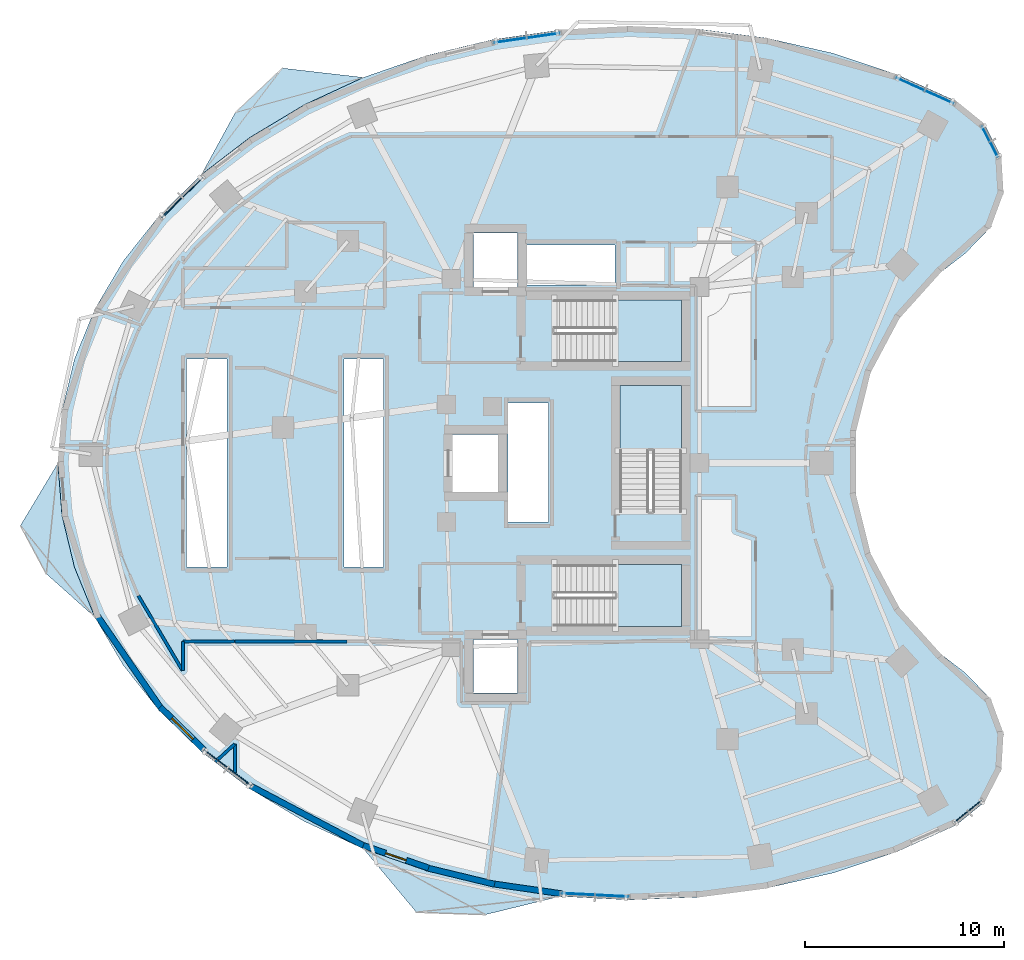
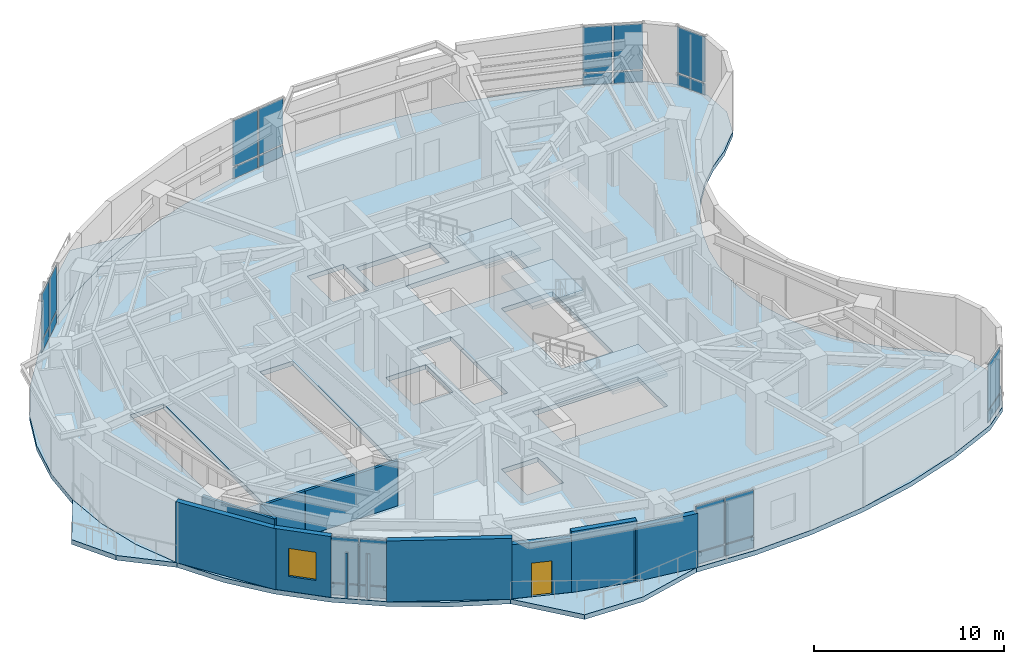
# One storey, part 6 of 13: 24 plates, 12 walls, 7 slabs, 1 door, 1 window, 2 openings, 10 elements without a shape of their own.
"""IFC4 building model written with IfcOpenShell, lengths in metres."""

from ifc_helpers import new_model, si_unit, direction, frame, frame_2d, origin, origin_2d, place, context, subcontext, project, spatial, polyline, rectangle, outline, extrude, material, layer, layer_set, type_object, element, fill, aggregate, save


model = new_model("IFC4")

# Units and contexts
model_context = context("Model", 3, precision=1e-05, world=origin(), true_north=direction((0.0, 1.0)))
body_context = subcontext(model_context, "Body", "Model", "MODEL_VIEW")
ifc_project = project(units=[si_unit("LENGTHUNIT", "METRE"), si_unit("AREAUNIT", "SQUARE_METRE"), si_unit("VOLUMEUNIT", "CUBIC_METRE"), si_unit("PLANEANGLEUNIT", "RADIAN"), si_unit("MASSUNIT", "GRAM", prefix="KILO")], contexts=[model_context])

# Site, building, storey
site_placement = place(None, origin())
site = spatial("IfcSite", under=ifc_project, at=site_placement, CompositionType="ELEMENT")
building_placement = place(site_placement, origin())
building = spatial("IfcBuilding", under=site, at=building_placement, Name="Korentha Bioscience Tower", CompositionType="ELEMENT")
storey_placement = place(building_placement, frame((0.0, 0.0, 123.60009765625)))
storey = spatial("IfcBuildingStorey", under=building, at=storey_placement, Name="L28", CompositionType="ELEMENT", Elevation=123.60009765625)

# Curtain wall, plates
ifc_material_1 = material(Name="Thermally Broken Aluminium Frame", Category="aluminium")
ifc_layer_1 = layer(ifc_material_1, 0.219970703125, Name="Thermally Broken Aluminium Frame")
ifc_layer_set_1 = layer_set([ifc_layer_1], Name="Thermally Broken Aluminium Frame (CW-T2)")
curtain_wall_type = type_object("IfcCurtainWallType", Name="Solar-Screened Lab Unitised Curtain Wall CW-T2", PredefinedType="USERDEFINED", material=ifc_layer_set_1)
curtain_wall_1_placement = place(storey_placement, origin())
curtain_wall_1 = element("IfcCurtainWall", 1, at=curtain_wall_1_placement, inside=storey, type_object=curtain_wall_type, Name="L28 Curtain Wall 01", ObjectType="UNITISED", PredefinedType="USERDEFINED")
ifc_material_2 = material(Name="Triple-Glazed Low-E Insulated Glass", Category="glass")
ifc_layer_2 = layer(ifc_material_2, 0.0439453125, Name="Triple-Glazed Low-E Insulated Glass")
ifc_layer_set_2 = layer_set([ifc_layer_2], Name="Triple-Glazed Low-E Insulated Glass (GL-44)")
plate_type = type_object("IfcPlateType", Name="Glazed Panel 44mm", PredefinedType="CURTAIN_PANEL", material=ifc_layer_set_2)
plate_1_placement = place(storey_placement, frame((49.61767578125, 45.385986328125, 0.08984375), z_axis=(0.0, 0.0, 1.0), x_axis=(-0.912686563127, 0.408660295952, 0.0)))
plate_1 = element("IfcPlate", 2, at=plate_1_placement, type_object=plate_type, Name="CW-L28-01 Bay 1 Glazed Panel 1", PredefinedType="CURTAIN_PANEL", context=body_context, shape_type="SweptSolid", body=[
    extrude(rectangle(XDim=1.54541015625, YDim=0.0439453125, at=origin_2d()), origin(), (0.0, 0.0, 1.0), 0.715087890625),
])
plate_2_placement = place(storey_placement, frame((49.61767578125, 45.385986328125, 0.894775390625), z_axis=(0.0, 0.0, 1.0), x_axis=(-0.912686563127, 0.408660295952, 0.0)))
plate_2 = element("IfcPlate", 3, at=plate_2_placement, type_object=plate_type, Name="CW-L28-01 Bay 1 Glazed Panel 2", PredefinedType="CURTAIN_PANEL", context=body_context, shape_type="SweptSolid", body=[
    extrude(rectangle(XDim=1.54541015625, YDim=0.0439453125, at=origin_2d()), origin(), (0.0, 0.0, 1.0), 2.9150390625),
])
plate_3_placement = place(storey_placement, frame((48.125, 46.05419921875, 0.08984375), z_axis=(0.0, 0.0, 1.0), x_axis=(-0.912686563127, 0.408660295952, 0.0)))
plate_3 = element("IfcPlate", 4, at=plate_3_placement, type_object=plate_type, Name="CW-L28-01 Bay 2 Glazed Panel 1", PredefinedType="CURTAIN_PANEL", context=body_context, shape_type="SweptSolid", body=[
    extrude(rectangle(XDim=1.54541015625, YDim=0.0439453125, at=origin_2d()), origin(), (0.0, 0.0, 1.0), 0.715087890625),
])
plate_4_placement = place(storey_placement, frame((48.125, 46.05419921875, 0.894775390625), z_axis=(0.0, 0.0, 1.0), x_axis=(-0.912686563127, 0.408660295952, 0.0)))
plate_4 = element("IfcPlate", 5, at=plate_4_placement, type_object=plate_type, Name="CW-L28-01 Bay 2 Glazed Panel 2", PredefinedType="CURTAIN_PANEL", context=body_context, shape_type="SweptSolid", body=[
    extrude(rectangle(XDim=1.54541015625, YDim=0.0439453125, at=origin_2d()), origin(), (0.0, 0.0, 1.0), 2.9150390625),
])
aggregate(curtain_wall_1, [plate_1, plate_2, plate_3, plate_4])

curtain_wall_2_placement = place(storey_placement, origin())
curtain_wall_2 = element("IfcCurtainWall", 6, at=curtain_wall_2_placement, inside=storey, type_object=curtain_wall_type, Name="L28 Curtain Wall 07", ObjectType="UNITISED", PredefinedType="USERDEFINED")
plate_5_placement = place(storey_placement, frame((29.724853515625, 48.486328125, 0.08984375), z_axis=(0.0, 0.0, 1.0), x_axis=(-0.989738282326, -0.14289203091, 0.0)))
plate_5 = element("IfcPlate", 7, at=plate_5_placement, type_object=plate_type, Name="CW-L28-07 Bay 1 Glazed Panel 1", PredefinedType="CURTAIN_PANEL", context=body_context, shape_type="SweptSolid", body=[
    extrude(rectangle(XDim=1.630615234375, YDim=0.0439453125, at=origin_2d()), origin(), (0.0, 0.0, 1.0), 0.715087890625),
])
plate_6_placement = place(storey_placement, frame((29.724853515625, 48.486328125, 0.894775390625), z_axis=(0.0, 0.0, 1.0), x_axis=(-0.989738282326, -0.14289203091, 0.0)))
plate_6 = element("IfcPlate", 8, at=plate_6_placement, type_object=plate_type, Name="CW-L28-07 Bay 1 Glazed Panel 2", PredefinedType="CURTAIN_PANEL", context=body_context, shape_type="SweptSolid", body=[
    extrude(rectangle(XDim=1.630615234375, YDim=0.0439453125, at=origin_2d()), origin(), (0.0, 0.0, 1.0), 2.9150390625),
])
plate_7_placement = place(storey_placement, frame((28.021728515625, 48.240478515625, 0.08984375), z_axis=(0.0, 0.0, 1.0), x_axis=(-0.989738282326, -0.14289203091, 0.0)))
plate_7 = element("IfcPlate", 9, at=plate_7_placement, type_object=plate_type, Name="CW-L28-07 Bay 2 Glazed Panel 1", PredefinedType="CURTAIN_PANEL", context=body_context, shape_type="SweptSolid", body=[
    extrude(rectangle(XDim=1.630615234375, YDim=0.0439453125, at=origin_2d()), origin(), (0.0, 0.0, 1.0), 0.715087890625),
])
plate_8_placement = place(storey_placement, frame((28.021728515625, 48.240478515625, 0.894775390625), z_axis=(0.0, 0.0, 1.0), x_axis=(-0.989738282326, -0.14289203091, 0.0)))
plate_8 = element("IfcPlate", 10, at=plate_8_placement, type_object=plate_type, Name="CW-L28-07 Bay 2 Glazed Panel 2", PredefinedType="CURTAIN_PANEL", context=body_context, shape_type="SweptSolid", body=[
    extrude(rectangle(XDim=1.630615234375, YDim=0.0439453125, at=origin_2d()), origin(), (0.0, 0.0, 1.0), 2.9150390625),
])
aggregate(curtain_wall_2, [plate_5, plate_6, plate_7, plate_8])

curtain_wall_3_placement = place(storey_placement, origin())
curtain_wall_3 = element("IfcCurtainWall", 11, at=curtain_wall_3_placement, inside=storey, type_object=curtain_wall_type, Name="L28 Curtain Wall 13", ObjectType="UNITISED", PredefinedType="USERDEFINED")
plate_9_placement = place(storey_placement, frame((12.09912109375, 40.858642578125, 0.08984375), z_axis=(0.0, 0.0, 1.0), x_axis=(-0.716095631804, -0.698002182025, 0.0)))
plate_9 = element("IfcPlate", 12, at=plate_9_placement, type_object=plate_type, Name="CW-L28-13 Bay 1 Glazed Panel 1", PredefinedType="CURTAIN_PANEL", context=body_context, shape_type="SweptSolid", body=[
    extrude(rectangle(XDim=1.39599609375, YDim=0.0439453125, at=origin_2d()), origin(), (0.0, 0.0, 1.0), 0.715087890625),
])
plate_10_placement = place(storey_placement, frame((12.09912109375, 40.858642578125, 0.894775390625), z_axis=(0.0, 0.0, 1.0), x_axis=(-0.716095631804, -0.698002182025, 0.0)))
plate_10 = element("IfcPlate", 13, at=plate_10_placement, type_object=plate_type, Name="CW-L28-13 Bay 1 Glazed Panel 2", PredefinedType="CURTAIN_PANEL", context=body_context, shape_type="SweptSolid", body=[
    extrude(rectangle(XDim=1.39599609375, YDim=0.0439453125, at=origin_2d()), origin(), (0.0, 0.0, 1.0), 2.9150390625),
])
plate_11_placement = place(storey_placement, frame((11.034912109375, 39.8212890625, 0.08984375), z_axis=(0.0, 0.0, 1.0), x_axis=(-0.716095631804, -0.698002182025, 0.0)))
plate_11 = element("IfcPlate", 14, at=plate_11_placement, type_object=plate_type, Name="CW-L28-13 Bay 2 Glazed Panel 1", PredefinedType="CURTAIN_PANEL", context=body_context, shape_type="SweptSolid", body=[
    extrude(rectangle(XDim=1.39599609375, YDim=0.0439453125, at=origin_2d()), origin(), (0.0, 0.0, 1.0), 0.715087890625),
])
plate_12_placement = place(storey_placement, frame((11.034912109375, 39.8212890625, 0.894775390625), z_axis=(0.0, 0.0, 1.0), x_axis=(-0.716095631804, -0.698002182025, 0.0)))
plate_12 = element("IfcPlate", 15, at=plate_12_placement, type_object=plate_type, Name="CW-L28-13 Bay 2 Glazed Panel 2", PredefinedType="CURTAIN_PANEL", context=body_context, shape_type="SweptSolid", body=[
    extrude(rectangle(XDim=1.39599609375, YDim=0.0439453125, at=origin_2d()), origin(), (0.0, 0.0, 1.0), 2.9150390625),
])
aggregate(curtain_wall_3, [plate_9, plate_10, plate_11, plate_12])

curtain_wall_4_placement = place(storey_placement, origin())
curtain_wall_4 = element("IfcCurtainWall", 16, at=curtain_wall_4_placement, inside=storey, type_object=curtain_wall_type, Name="L28 Curtain Wall 25", ObjectType="UNITISED", PredefinedType="USERDEFINED")
plate_13_placement = place(storey_placement, frame((13.234619140625, 12.162353515625, 0.08984375), z_axis=(0.0, 0.0, 1.0), x_axis=(0.794499603893, -0.607264669986, 0.0)))
plate_13 = element("IfcPlate", 17, at=plate_13_placement, type_object=plate_type, Name="CW-L28-25 Bay 1 Glazed Panel 1", PredefinedType="CURTAIN_PANEL", context=body_context, shape_type="SweptSolid", body=[
    extrude(rectangle(XDim=1.4462890625, YDim=0.0439453125, at=origin_2d()), origin(), (0.0, 0.0, 1.0), 0.715087890625),
])
plate_14_placement = place(storey_placement, frame((13.234619140625, 12.162353515625, 0.894775390625), z_axis=(0.0, 0.0, 1.0), x_axis=(0.794499603893, -0.607264669986, 0.0)))
plate_14 = element("IfcPlate", 18, at=plate_14_placement, type_object=plate_type, Name="CW-L28-25 Bay 1 Glazed Panel 2", PredefinedType="CURTAIN_PANEL", context=body_context, shape_type="SweptSolid", body=[
    extrude(rectangle(XDim=1.4462890625, YDim=0.0439453125, at=origin_2d()), origin(), (0.0, 0.0, 1.0), 2.9150390625),
])
plate_15_placement = place(storey_placement, frame((14.455078125, 11.229248046875, 0.08984375), z_axis=(0.0, 0.0, 1.0), x_axis=(0.794499603893, -0.607264669986, 0.0)))
plate_15 = element("IfcPlate", 19, at=plate_15_placement, type_object=plate_type, Name="CW-L28-25 Bay 2 Glazed Panel 1", PredefinedType="CURTAIN_PANEL", context=body_context, shape_type="SweptSolid", body=[
    extrude(rectangle(XDim=1.4462890625, YDim=0.0439453125, at=origin_2d()), origin(), (0.0, 0.0, 1.0), 0.715087890625),
])
plate_16_placement = place(storey_placement, frame((14.455078125, 11.229248046875, 0.894775390625), z_axis=(0.0, 0.0, 1.0), x_axis=(0.794499603893, -0.607264669986, 0.0)))
plate_16 = element("IfcPlate", 20, at=plate_16_placement, type_object=plate_type, Name="CW-L28-25 Bay 2 Glazed Panel 2", PredefinedType="CURTAIN_PANEL", context=body_context, shape_type="SweptSolid", body=[
    extrude(rectangle(XDim=1.4462890625, YDim=0.0439453125, at=origin_2d()), origin(), (0.0, 0.0, 1.0), 2.9150390625),
])
aggregate(curtain_wall_4, [plate_13, plate_14, plate_15, plate_16])

curtain_wall_5_placement = place(storey_placement, origin())
curtain_wall_5 = element("IfcCurtainWall", 21, at=curtain_wall_5_placement, inside=storey, type_object=curtain_wall_type, Name="L28 Curtain Wall 31", ObjectType="UNITISED", PredefinedType="USERDEFINED")
plate_17_placement = place(storey_placement, frame((31.436279296875, 5.346435546875, 0.08984375), z_axis=(0.0, 0.0, 1.0), x_axis=(0.998673231344, -0.051495407527, 0.0)))
plate_17 = element("IfcPlate", 22, at=plate_17_placement, type_object=plate_type, Name="CW-L28-31 Bay 1 Glazed Panel 1", PredefinedType="CURTAIN_PANEL", context=body_context, shape_type="SweptSolid", body=[
    extrude(rectangle(XDim=1.641845703125, YDim=0.0439453125, at=origin_2d()), origin(), (0.0, 0.0, 1.0), 0.715087890625),
])
plate_18_placement = place(storey_placement, frame((31.436279296875, 5.346435546875, 0.894775390625), z_axis=(0.0, 0.0, 1.0), x_axis=(0.998673231344, -0.051495407527, 0.0)))
plate_18 = element("IfcPlate", 23, at=plate_18_placement, type_object=plate_type, Name="CW-L28-31 Bay 1 Glazed Panel 2", PredefinedType="CURTAIN_PANEL", context=body_context, shape_type="SweptSolid", body=[
    extrude(rectangle(XDim=1.641845703125, YDim=0.0439453125, at=origin_2d()), origin(), (0.0, 0.0, 1.0), 2.9150390625),
])
plate_19_placement = place(storey_placement, frame((33.166015625, 5.25732421875, 0.08984375), z_axis=(0.0, 0.0, 1.0), x_axis=(0.998673231344, -0.051495407527, 0.0)))
plate_19 = element("IfcPlate", 24, at=plate_19_placement, type_object=plate_type, Name="CW-L28-31 Bay 2 Glazed Panel 1", PredefinedType="CURTAIN_PANEL", context=body_context, shape_type="SweptSolid", body=[
    extrude(rectangle(XDim=1.641845703125, YDim=0.0439453125, at=origin_2d()), origin(), (0.0, 0.0, 1.0), 0.715087890625),
])
plate_20_placement = place(storey_placement, frame((33.166015625, 5.25732421875, 0.894775390625), z_axis=(0.0, 0.0, 1.0), x_axis=(0.998673231344, -0.051495407527, 0.0)))
plate_20 = element("IfcPlate", 25, at=plate_20_placement, type_object=plate_type, Name="CW-L28-31 Bay 2 Glazed Panel 2", PredefinedType="CURTAIN_PANEL", context=body_context, shape_type="SweptSolid", body=[
    extrude(rectangle(XDim=1.641845703125, YDim=0.0439453125, at=origin_2d()), origin(), (0.0, 0.0, 1.0), 2.9150390625),
])
aggregate(curtain_wall_5, [plate_17, plate_18, plate_19, plate_20])

curtain_wall_6_placement = place(storey_placement, origin())
curtain_wall_6 = element("IfcCurtainWall", 26, at=curtain_wall_6_placement, inside=storey, type_object=curtain_wall_type, Name="L28 Curtain Wall 37", ObjectType="UNITISED", PredefinedType="USERDEFINED")
plate_21_placement = place(storey_placement, frame((51.04736328125, 9.506591796875, 0.08984375), z_axis=(0.0, 0.0, 1.0), x_axis=(0.777315301098, 0.629111216463, 0.0)))
plate_21 = element("IfcPlate", 27, at=plate_21_placement, type_object=plate_type, Name="CW-L28-37 Bay 1 Glazed Panel 1", PredefinedType="CURTAIN_PANEL", context=body_context, shape_type="SweptSolid", body=[
    extrude(rectangle(XDim=1.737548828125, YDim=0.0439453125, at=origin_2d()), origin(), (0.0, 0.0, 1.0), 0.715087890625),
])
plate_22_placement = place(storey_placement, frame((51.04736328125, 9.506591796875, 0.894775390625), z_axis=(0.0, 0.0, 1.0), x_axis=(0.777315301098, 0.629111216463, 0.0)))
plate_22 = element("IfcPlate", 28, at=plate_22_placement, type_object=plate_type, Name="CW-L28-37 Bay 1 Glazed Panel 2", PredefinedType="CURTAIN_PANEL", context=body_context, shape_type="SweptSolid", body=[
    extrude(rectangle(XDim=1.737548828125, YDim=0.0439453125, at=origin_2d()), origin(), (0.0, 0.0, 1.0), 2.9150390625),
])
aggregate(curtain_wall_6, [plate_21, plate_22])

curtain_wall_7_placement = place(storey_placement, origin())
curtain_wall_7 = element("IfcCurtainWall", 29, at=curtain_wall_7_placement, inside=storey, type_object=curtain_wall_type, Name="L28 Curtain Wall 61", ObjectType="UNITISED", PredefinedType="USERDEFINED")
plate_23_placement = place(storey_placement, frame((52.140380859375, 43.149658203125, 0.08984375), z_axis=(0.0, 0.0, 1.0), x_axis=(-0.457613117169, 0.889151412862, 0.0)))
plate_23 = element("IfcPlate", 30, at=plate_23_placement, type_object=plate_type, Name="CW-L28-61 Bay 1 Glazed Panel 1", PredefinedType="CURTAIN_PANEL", context=body_context, shape_type="SweptSolid", body=[
    extrude(rectangle(XDim=1.737548828125, YDim=0.0439453125, at=origin_2d()), origin(), (0.0, 0.0, 1.0), 0.715087890625),
])
plate_24_placement = place(storey_placement, frame((52.140380859375, 43.149658203125, 0.894775390625), z_axis=(0.0, 0.0, 1.0), x_axis=(-0.457613117169, 0.889151412862, 0.0)))
plate_24 = element("IfcPlate", 31, at=plate_24_placement, type_object=plate_type, Name="CW-L28-61 Bay 1 Glazed Panel 2", PredefinedType="CURTAIN_PANEL", context=body_context, shape_type="SweptSolid", body=[
    extrude(rectangle(XDim=1.737548828125, YDim=0.0439453125, at=origin_2d()), origin(), (0.0, 0.0, 1.0), 2.9150390625),
])
aggregate(curtain_wall_7, [plate_23, plate_24])

# Slab
ifc_material_3 = material(Name="Concrete C50", Category="concrete")
ifc_layer_3 = layer(ifc_material_3, 0.300048828125, Name="Concrete C50")
ifc_layer_set_3 = layer_set([ifc_layer_3], Name="Concrete C50 (SL-L300)")
slab_type_1 = type_object("IfcSlabType", Name="Laboratory Vibration-Controlled Slab 300", PredefinedType="FLOOR", material=ifc_layer_set_3)
slab_1_placement = place(storey_placement, frame((0.0, 0.0, -0.300048828125)))
element("IfcSlab", 32, at=slab_1_placement, inside=storey, type_object=slab_type_1, Name="L28 Tower Structural Floor Slab", PredefinedType="FLOOR", context=body_context, shape_type="SweptSolid", body=[
    extrude(outline(polyline([(50.433837890625, 45.19580078125), (47.439697265625, 46.53662109375), (44.2548828125, 47.59521484375), (40.925537109375, 48.3564453125), (37.5, 48.809326171875), (34.027587890625, 48.947265625), (30.558349609375, 48.7685546875), (27.142333984375, 48.275390625), (23.8291015625, 47.474853515625), (20.66650390625, 46.37890625), (17.69970703125, 45.003173828125), (14.972412109375, 43.367431640625), (12.52294921875, 41.495361328125), (10.3876953125, 39.413818359375), (8.5966796875, 37.1533203125), (7.17626953125, 34.74609375), (6.146484375, 32.22705078125), (5.52294921875, 29.632568359375), (5.31396484375, 27.0), (5.52294921875, 24.367431640625), (6.146484375, 21.77294921875), (7.17626953125, 19.25390625), (8.5966796875, 16.8466796875), (10.3876953125, 14.586181640625), (12.52294921875, 12.504638671875), (14.972412109375, 10.632568359375), (17.69970703125, 8.996826171875), (20.66650390625, 7.62109375), (23.8291015625, 6.525146484375), (27.142333984375, 5.724609375), (30.558349609375, 5.2314453125), (34.027587890625, 5.052734375), (37.5, 5.190673828125), (40.925537109375, 5.6435546875), (44.2548828125, 6.40478515625), (47.439697265625, 7.46337890625), (50.433837890625, 8.80419921875), (51.8623046875, 9.960205078125), (52.703125, 11.593994140625), (52.813720703125, 13.42822265625), (52.175537109375, 15.1513671875), (50.896484375, 16.470703125), (49.666259765625, 17.414794921875), (48.560302734375, 18.501708984375), (47.594970703125, 19.715087890625), (46.78466796875, 21.037353515625), (46.1416015625, 22.448486328125), (45.67529296875, 23.927490234375), (45.392578125, 25.4521484375), (45.298095703125, 27.0), (45.392578125, 28.5478515625), (45.67529296875, 30.072509765625), (46.1416015625, 31.551513671875), (46.78466796875, 32.962646484375), (47.594970703125, 34.284912109375), (48.560302734375, 35.498291015625), (49.666259765625, 36.585205078125), (50.896484375, 37.529296875), (52.175537109375, 38.8486328125), (52.813720703125, 40.57177734375), (52.703125, 42.406005859375), (51.8623046875, 44.039794921875), (50.433837890625, 45.19580078125)]), holes=[polyline([(30.25, 32.10009765625), (36.64990234375, 32.10009765625), (36.64990234375, 35.199951171875), (30.25, 35.199951171875), (30.25, 32.10009765625)]), polyline([(30.25, 18.800048828125), (36.64990234375, 18.800048828125), (36.64990234375, 21.89990234375), (30.25, 21.89990234375), (30.25, 18.800048828125)]), polyline([(36.64990234375, 24.550048828125), (36.64990234375, 30.89990234375), (33.550048828125, 30.89990234375), (33.550048828125, 24.550048828125), (36.64990234375, 24.550048828125)]), polyline([(11.780029296875, 21.780029296875), (13.820068359375, 21.780029296875), (13.820068359375, 32.219970703125), (11.780029296875, 32.219970703125), (11.780029296875, 21.780029296875)]), polyline([(19.679931640625, 21.780029296875), (21.669921875, 21.780029296875), (21.669921875, 32.219970703125), (19.679931640625, 32.219970703125), (19.679931640625, 21.780029296875)]), polyline([(27.929931640625, 24.030029296875), (29.969970703125, 24.030029296875), (29.969970703125, 30.02001953125), (27.929931640625, 30.02001953125), (27.929931640625, 24.030029296875)]), polyline([(28.860107421875, 35.93994140625), (33.31005859375, 35.93994140625), (33.31005859375, 37.9599609375), (28.860107421875, 37.9599609375), (28.860107421875, 35.93994140625)]), polyline([(26.199951171875, 15.449951171875), (28.39990234375, 15.449951171875), (28.39990234375, 18.14990234375), (26.199951171875, 18.14990234375), (26.199951171875, 15.449951171875)]), polyline([(26.199951171875, 35.85009765625), (28.39990234375, 35.85009765625), (28.39990234375, 38.550048828125), (26.199951171875, 38.550048828125), (26.199951171875, 35.85009765625)]), polyline([(25.14990234375, 25.550048828125), (27.550048828125, 25.550048828125), (27.550048828125, 28.449951171875), (25.14990234375, 28.449951171875), (25.14990234375, 25.550048828125)])]), origin(), (0.0, 0.0, 1.0), 0.300048828125),
])

# Stair, slab
ifc_material_4 = material(Name="Precast Concrete C50", Category="concrete")
stair_type = type_object("IfcStairType", Name="Core Exit Dog-Leg Stair 1450", PredefinedType="HALF_TURN_STAIR", material=ifc_material_4)
stair_1_placement = place(storey_placement, origin())
stair_1 = element("IfcStair", 33, at=stair_1_placement, inside=storey, type_object=stair_type, Name="L28 Tower North Pressurized Exit Stair ST-1", PredefinedType="HALF_TURN_STAIR")
ifc_layer_4 = layer(ifc_material_3, 0.199951171875, Name="Concrete C50")
ifc_layer_set_4 = layer_set([ifc_layer_4], Name="Concrete C50 (SL-LND)")
slab_type_2 = type_object("IfcSlabType", Name="Landing Slab 200", PredefinedType="LANDING", material=ifc_layer_set_4)
slab_2_placement = place(storey_placement, frame((0.0, 0.0, 1.89990234375)))
slab_2 = element("IfcSlab", 34, at=slab_2_placement, type_object=slab_type_2, Name="ST-1 landing 1", PredefinedType="LANDING", context=body_context, shape_type="SweptSolid", body=[
    extrude(outline(polyline([(33.330078125, 32.10009765625), (36.64990234375, 32.10009765625), (36.64990234375, 35.199951171875), (33.330078125, 35.199951171875), (33.330078125, 32.10009765625)])), origin(), (0.0, 0.0, 1.0), 0.199951171875),
])
aggregate(stair_1, [slab_2])

stair_2_placement = place(storey_placement, origin())
stair_2 = element("IfcStair", 35, at=stair_2_placement, inside=storey, type_object=stair_type, Name="L28 Tower South Pressurized Exit Stair ST-2", PredefinedType="HALF_TURN_STAIR")
slab_3_placement = place(storey_placement, frame((0.0, 0.0, 1.89990234375)))
slab_3 = element("IfcSlab", 36, at=slab_3_placement, type_object=slab_type_2, Name="ST-2 landing 1", PredefinedType="LANDING", context=body_context, shape_type="SweptSolid", body=[
    extrude(outline(polyline([(33.330078125, 18.800048828125), (36.64990234375, 18.800048828125), (36.64990234375, 21.89990234375), (33.330078125, 21.89990234375), (33.330078125, 18.800048828125)])), origin(), (0.0, 0.0, 1.0), 0.199951171875),
])
aggregate(stair_2, [slab_3])

stair_3_placement = place(storey_placement, origin())
stair_3 = element("IfcStair", 37, at=stair_3_placement, inside=storey, type_object=stair_type, Name="L28 Tower Central Pressurized Exit Stair ST-3", PredefinedType="HALF_TURN_STAIR")
slab_4_placement = place(storey_placement, frame((0.0, 0.0, 1.89990234375)))
slab_4 = element("IfcSlab", 38, at=slab_4_placement, type_object=slab_type_2, Name="ST-3 landing 1", PredefinedType="LANDING", context=body_context, shape_type="SweptSolid", body=[
    extrude(outline(polyline([(36.64990234375, 27.6298828125), (36.64990234375, 30.89990234375), (33.550048828125, 30.89990234375), (33.550048828125, 27.6298828125), (36.64990234375, 27.6298828125)])), origin(), (0.0, 0.0, 1.0), 0.199951171875),
])
aggregate(stair_3, [slab_4])

# Slabs
ifc_layer_5 = layer(ifc_material_3, 0.300048828125, Name="Concrete C50")
ifc_layer_set_5 = layer_set([ifc_layer_5], Name="Concrete C50 (BS-240)")
slab_type_3 = type_object("IfcSlabType", Name="Sawtooth Sun-Ledge Balcony Slab 240", PredefinedType="USERDEFINED", material=ifc_layer_set_5)
slab_5_placement = place(storey_placement, frame((0.0, 0.0, -0.300048828125)))
element("IfcSlab", 39, at=slab_5_placement, inside=storey, type_object=slab_type_3, Name="L28 Sun-Ledge Balcony 01", ObjectType="BALCONY", PredefinedType="USERDEFINED", context=body_context, shape_type="SweptSolid", body=[
    extrude(outline(polyline([(12.52294921875, 41.495361328125), (14.972412109375, 43.367431640625), (17.69970703125, 45.003173828125), (20.66650390625, 46.37890625), (16.593994140625, 46.846923828125), (14.2265625, 44.61083984375), (12.52294921875, 41.495361328125)])), origin(), (0.0, 0.0, 1.0), 0.300048828125),
])
slab_6_placement = place(storey_placement, frame((0.0, 0.0, -0.300048828125)))
element("IfcSlab", 40, at=slab_6_placement, inside=storey, type_object=slab_type_3, Name="L28 Sun-Ledge Balcony 02", ObjectType="BALCONY", PredefinedType="USERDEFINED", context=body_context, shape_type="SweptSolid", body=[
    extrude(outline(polyline([(7.17626953125, 19.25390625), (6.146484375, 21.77294921875), (5.52294921875, 24.367431640625), (5.31396484375, 27.0), (3.4326171875, 23.864990234375), (4.73681640625, 21.43408203125), (7.17626953125, 19.25390625)])), origin(), (0.0, 0.0, 1.0), 0.300048828125),
])
slab_7_placement = place(storey_placement, frame((0.0, 0.0, -0.300048828125)))
element("IfcSlab", 41, at=slab_7_placement, inside=storey, type_object=slab_type_3, Name="L28 Sun-Ledge Balcony 03", ObjectType="BALCONY", PredefinedType="USERDEFINED", context=body_context, shape_type="SweptSolid", body=[
    extrude(outline(polyline([(30.558349609375, 5.2314453125), (27.142333984375, 5.724609375), (23.8291015625, 6.525146484375), (20.66650390625, 7.62109375), (23.32421875, 4.435302734375), (26.802001953125, 4.315185546875), (30.558349609375, 5.2314453125)])), origin(), (0.0, 0.0, 1.0), 0.300048828125),
])

# Walls
ifc_material_5 = material(Name="Double-Stud Acoustic Gypsum", Category="gypsum")
ifc_layer_6 = layer(ifc_material_5, 0.14990234375, Name="Double-Stud Acoustic Gypsum")
ifc_layer_set_6 = layer_set([ifc_layer_6], Name="Double-Stud Acoustic Gypsum (IW-L150)")
wall_type_1 = type_object("IfcWallType", Name="Acoustic Laboratory Partition Wall 150", PredefinedType="PARTITIONING", material=ifc_layer_set_6)
wall_1_placement = place(storey_placement, frame((9.359130859375, 20.336181640625, 0.0), z_axis=(0.0, 0.0, 1.0), x_axis=(0.508164254342, -0.86126017591, 0.0)))
element("IfcWall", 42, at=wall_1_placement, inside=storey, type_object=wall_type_1, Name="L28 Interior Partition 021", PredefinedType="PARTITIONING", context=body_context, shape_type="SweptSolid", body=[
    extrude(rectangle(XDim=4.353271484375, YDim=0.14990234375, at=frame_2d((2.1767578125, 0.0))), origin(), (0.0, 0.0, 1.0), 2.909912109375),
])
wall_2_placement = place(storey_placement, frame((11.590087890625, 16.592041015625, 0.0), z_axis=(0.0, 0.0, 1.0), x_axis=(0.0, 1.0, 0.0)))
element("IfcWall", 43, at=wall_2_placement, inside=storey, type_object=wall_type_1, Name="L28 Interior Partition 022", PredefinedType="PARTITIONING", context=body_context, shape_type="SweptSolid", body=[
    extrude(rectangle(XDim=1.4560546875, YDim=0.14990234375, at=frame_2d((0.72802734375, 0.0))), origin(), (0.0, 0.0, 1.0), 2.909912109375),
])
wall_3_placement = place(storey_placement, frame((11.590087890625, 18.048095703125, 0.0), z_axis=(0.0, 0.0, 1.0), x_axis=(1.0, 0.0, 0.0)))
element("IfcWall", 44, at=wall_3_placement, inside=storey, type_object=wall_type_1, Name="L28 Interior Partition 023", PredefinedType="PARTITIONING", context=body_context, shape_type="SweptSolid", body=[
    extrude(rectangle(XDim=2.60791015625, YDim=0.14990234375, at=frame_2d((1.303955078125, 0.0))), origin(), (0.0, 0.0, 1.0), 2.909912109375),
])
wall_4_placement = place(storey_placement, frame((14.2021484375, 18.048095703125, 0.0), z_axis=(0.0, 0.0, 1.0), x_axis=(1.0, 0.0, 0.0)))
element("IfcWall", 45, at=wall_4_placement, inside=storey, type_object=wall_type_1, Name="L28 Interior Partition 024", PredefinedType="PARTITIONING", context=body_context, shape_type="SweptSolid", body=[
    extrude(rectangle(XDim=5.633056640625, YDim=0.14990234375, at=frame_2d((2.81640625, 0.0))), origin(), (0.0, 0.0, 1.0), 2.909912109375),
])
wall_5_placement = place(storey_placement, frame((14.201904296875, 11.31640625, 0.0), z_axis=(0.0, 0.0, 1.0), x_axis=(0.0, 1.0, 0.0)))
element("IfcWall", 46, at=wall_5_placement, inside=storey, type_object=wall_type_1, Name="L28 Interior Partition 029", PredefinedType="PARTITIONING", context=body_context, shape_type="SweptSolid", body=[
    extrude(rectangle(XDim=1.560302734375, YDim=0.14990234375, at=frame_2d((0.7802734375, 0.0))), origin(), (0.0, 0.0, 1.0), 2.909912109375),
])
wall_6_placement = place(storey_placement, frame((14.1953125, 12.8798828125, 0.0), z_axis=(0.0, 0.0, 1.0), x_axis=(-0.737285674471, -0.675581108542, 0.0)))
element("IfcWall", 47, at=wall_6_placement, inside=storey, type_object=wall_type_1, Name="L28 Interior Partition 030", PredefinedType="PARTITIONING", context=body_context, shape_type="SweptSolid", body=[
    extrude(rectangle(XDim=1.3095703125, YDim=0.14990234375, at=frame_2d((0.65478515625, 0.0))), origin(), (0.0, 0.0, 1.0), 2.909912109375),
])

# Wall, opening, window
ifc_material_6 = material(Name="Honed Limestone Precast Concrete C40", Category="masonry")
ifc_layer_7 = layer(ifc_material_6, 0.300048828125, Name="Honed Limestone Precast Concrete C40")
ifc_layer_set_7 = layer_set([ifc_layer_7], Name="Honed Limestone Precast Concrete C40 (EW-ST300)")
wall_type_2 = type_object("IfcWallType", Name="Honed Limestone Cavity Spandrel Wall 300", PredefinedType="STANDARD", material=ifc_layer_set_7)
wall_7_placement = place(storey_placement, frame((10.456298828125, 14.74267578125, 0.0), z_axis=(0.0, 0.0, 1.0), x_axis=(0.716099460419, -0.697998254144, 0.0)))
wall_7 = element("IfcWall", 48, at=wall_7_placement, inside=storey, type_object=wall_type_2, Name="L28 Honed Limestone Spandrel Wall 24", PredefinedType="STANDARD", context=body_context, shape_type="SweptSolid", body=[
    extrude(rectangle(XDim=3.10205078125, YDim=0.300048828125, at=frame_2d((1.551025390625, 0.0))), origin(), (0.0, 0.0, 1.0), 3.89990234375),
])
opening_1_placement = place(wall_7_placement, frame((0.801025390625, 0.0, 0.949951171875)))
opening_1 = element("IfcOpeningElement", 49, at=opening_1_placement, cuts=wall_7, Name="Opening WN-02", PredefinedType="OPENING", context=body_context, shape_type="SweptSolid", body=[
    extrude(rectangle(XDim=1.5, YDim=1.800048828125, at=frame_2d((0.75, 0.89990234375))), frame((0.0, 0.1650390625, 0.0), z_axis=(0.0, -1.0, 0.0), x_axis=(1.0, 0.0, 0.0)), (0.0, 0.0, 1.0), 0.329833984375),
])
ifc_material_7 = material(Name="Thermally Broken Aluminium Triple Glazing", Category="aluminium")
window_type = type_object("IfcWindowType", Name="Acoustic Operable Office Window 1500x1800", PartitioningType="DOUBLE_PANEL_VERTICAL", PredefinedType="WINDOW", material=ifc_material_7)
window_placement = place(opening_1_placement, origin())
window = element("IfcWindow", 50, at=window_placement, inside=storey, type_object=window_type, Name="L28 Facade Window 24", OverallHeight=1.800048828125, OverallWidth=1.5, PartitioningType="DOUBLE_PANEL_VERTICAL", PredefinedType="WINDOW", context=body_context, shape_type="SweptSolid", body=[
    extrude(rectangle(XDim=1.5, YDim=1.800048828125, at=frame_2d((0.75, 0.89990234375))), frame((0.0, 0.030029296875, 0.0), z_axis=(0.0, -1.0, 0.0), x_axis=(1.0, 0.0, 0.0)), (0.0, 0.0, 1.0), 0.06005859375),
])
fill(opening_1, window)

# Wall, opening, door
wall_8_placement = place(storey_placement, frame((20.662109375, 7.7919921875, 0.0), z_axis=(0.0, 0.0, 1.0), x_axis=(0.944878029854, -0.3274225232, 0.0)))
wall_8 = element("IfcWall", 51, at=wall_8_placement, inside=storey, type_object=wall_type_2, Name="L28 Balcony Threshold Wall 03", PredefinedType="STANDARD", context=body_context, shape_type="SweptSolid", body=[
    extrude(rectangle(XDim=3.46728515625, YDim=0.300048828125, at=frame_2d((1.733642578125, 0.0))), origin(), (0.0, 0.0, 1.0), 3.469970703125),
])
opening_2_placement = place(wall_8_placement, frame((1.18359375, 0.0, 0.0)))
opening_2 = element("IfcOpeningElement", 52, at=opening_2_placement, cuts=wall_8, Name="Opening BD-11L", PredefinedType="OPENING", context=body_context, shape_type="SweptSolid", body=[
    extrude(rectangle(XDim=1.10009765625, YDim=2.14990234375, at=frame_2d((0.550048828125, 1.074951171875))), frame((0.0, 0.1650390625, 0.0), z_axis=(0.0, -1.0, 0.0), x_axis=(1.0, 0.0, 0.0)), (0.0, 0.0, 1.0), 0.329833984375),
])
ifc_material_8 = material(Name="Thermally Broken Glazed Aluminium", Category="aluminium")
door_type = type_object("IfcDoorType", Name="Balcony Terrace Glazed Door 1100x2150 Left", OperationType="SINGLE_SWING_LEFT", PredefinedType="DOOR", material=ifc_material_8)
door_placement = place(opening_2_placement, origin())
door = element("IfcDoor", 53, at=door_placement, inside=storey, type_object=door_type, Name="L28 Balcony Access Door 03", OperationType="SINGLE_SWING_LEFT", OverallHeight=2.14990234375, OverallWidth=1.10009765625, PredefinedType="DOOR", context=body_context, shape_type="SweptSolid", body=[
    extrude(rectangle(XDim=1.10009765625, YDim=2.14990234375, at=frame_2d((0.550048828125, 1.074951171875))), frame((0.0, 0.02490234375, 0.0), z_axis=(0.0, -1.0, 0.0), x_axis=(1.0, 0.0, 0.0)), (0.0, 0.0, 1.0), 0.050048828125),
])
fill(opening_2, door)

# Walls
wall_9_placement = place(storey_placement, frame((7.24609375, 19.399169921875, 0.0), z_axis=(0.0, 0.0, 1.0), x_axis=(0.566825798999, -0.823837674296, 0.0)))
element("IfcWall", 54, at=wall_9_placement, inside=storey, type_object=wall_type_2, Name="L28 Limestone Perimeter Closure Wall 22", PredefinedType="STANDARD", context=body_context, shape_type="SweptSolid", body=[
    extrude(rectangle(XDim=5.825927734375, YDim=0.300048828125, at=frame_2d((2.9130859375, 0.0))), origin(), (0.0, 0.0, 1.0), 3.89990234375),
])
wall_10_placement = place(storey_placement, frame((14.967041015625, 10.793701171875, 0.0), z_axis=(0.0, 0.0, 1.0), x_axis=(0.883986649445, -0.467512142734, 0.0)))
element("IfcWall", 55, at=wall_10_placement, inside=storey, type_object=wall_type_2, Name="L28 Limestone Perimeter Closure Wall 26", PredefinedType="STANDARD", context=body_context, shape_type="SweptSolid", body=[
    extrude(rectangle(XDim=6.601318359375, YDim=0.300048828125, at=frame_2d((3.30078125, 0.0))), origin(), (0.0, 0.0, 1.0), 3.89990234375),
])
wall_11_placement = place(storey_placement, frame((23.7841796875, 6.679931640625, 0.0), z_axis=(0.0, 0.0, 1.0), x_axis=(0.972043452321, -0.234801036625, 0.0)))
element("IfcWall", 56, at=wall_11_placement, inside=storey, type_object=wall_type_2, Name="L28 Limestone Perimeter Closure Wall 29", PredefinedType="STANDARD", context=body_context, shape_type="SweptSolid", body=[
    extrude(rectangle(XDim=3.568603515625, YDim=0.300048828125, at=frame_2d((1.7841796875, 0.0))), origin(), (0.0, 0.0, 1.0), 3.89990234375),
])
wall_12_placement = place(storey_placement, frame((27.083251953125, 5.874755859375, 0.0), z_axis=(0.0, 0.0, 1.0), x_axis=(0.989734732902, -0.142916613754, 0.0)))
element("IfcWall", 57, at=wall_12_placement, inside=storey, type_object=wall_type_2, Name="L28 Limestone Perimeter Closure Wall 30", PredefinedType="STANDARD", context=body_context, shape_type="SweptSolid", body=[
    extrude(rectangle(XDim=3.611328125, YDim=0.300048828125, at=frame_2d((1.8056640625, 0.0))), origin(), (0.0, 0.0, 1.0), 3.469970703125),
])

save(model, "model.ifc")
